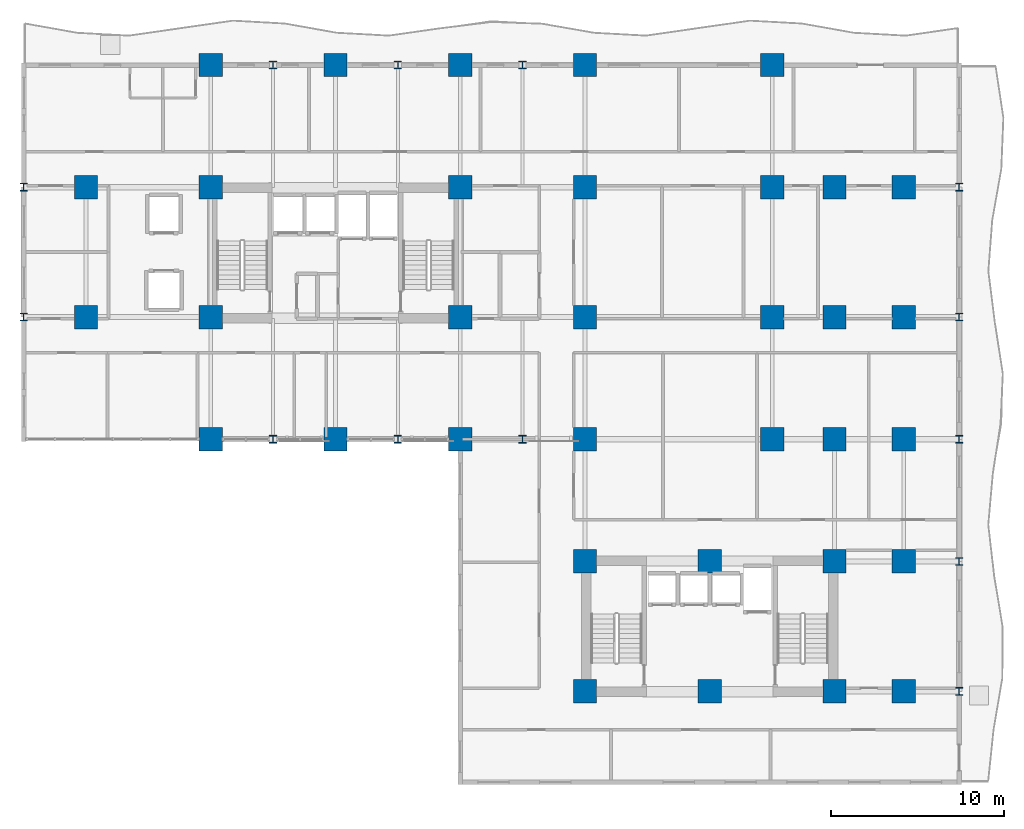
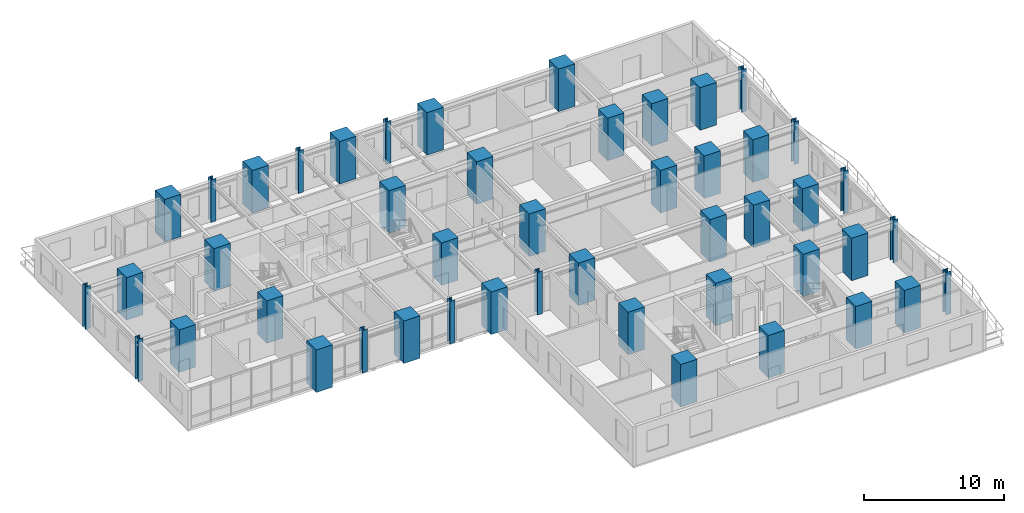
# One storey, part 1 of 17: 47 columns.
"""IFC4 building model written with IfcOpenShell, lengths in metres."""

import ifcopenshell
import ifcopenshell.guid

model = None  # the IFC model being written
_history = None  # IfcOwnerHistory: only IFC2X3 demands one
_inside = {}  # id of a spatial element -> (the spatial element, [elements in it])
_under = {}  # id of a project, library or spatial element -> (it, [spatial elements below it])
_declared = {}  # id of a project -> (the project, [libraries it declares])
_typed = {}  # id of a type object -> (the type object, [elements of that type])
_made_of = {}  # id of a material, layer set ... -> (it, [elements and type objects made of it])


def new_model(schema):
    """Start an empty IFC model of exactly this schema.

    Asked for "IFC4X3", IfcOpenShell would pick the latest addendum, in which some entities
    have other attributes; the version numbers below select the first issue.
    IFC2X3 requires an IfcOwnerHistory on every rooted entity: one is made here for all.
    """
    global model, _history
    if schema == "IFC4X3":
        model = ifcopenshell.file(schema_version=(4, 3, 0, 0))
    else:
        model = ifcopenshell.file(schema=schema)
    _inside.clear()
    _under.clear()
    _declared.clear()
    _typed.clear()
    _made_of.clear()
    _history = None
    if model.schema == "IFC2X3":
        org = make("IfcOrganization", Name="unknown")
        user = make(
            "IfcPersonAndOrganization",
            ThePerson=make("IfcPerson", FamilyName="unknown"),
            TheOrganization=org,
        )
        app = make(
            "IfcApplication",
            ApplicationDeveloper=org,
            Version="unknown",
            ApplicationFullName="unknown",
            ApplicationIdentifier="unknown",
        )
        _history = make(
            "IfcOwnerHistory",
            OwningUser=user,
            OwningApplication=app,
            ChangeAction="ADDED",
            CreationDate=0,
        )
    return model


def make(cls, **values):
    """One entity of the class cls with the attributes given. An attribute that is None is left unset."""
    return model.create_entity(
        cls, **{name: value for name, value in values.items() if value is not None}
    )


def rooted(cls, **values):
    """An entity with a GlobalId (a new one), such as an element, a storey or a relation."""
    return make(cls, GlobalId=ifcopenshell.guid.new(), OwnerHistory=_history, **values)


def si_unit(unit_type, name, prefix=None):
    """IfcSIUnit, for example si_unit("LENGTHUNIT", "METRE", prefix="MILLI")."""
    return make("IfcSIUnit", UnitType=unit_type, Prefix=prefix, Name=name)


def assignment(units):
    """IfcUnitAssignment: the units of a project."""
    return None if units is None else make("IfcUnitAssignment", Units=units)


def point(xyz):
    """IfcCartesianPoint."""
    return None if xyz is None else make("IfcCartesianPoint", Coordinates=xyz)


def direction(xyz):
    """IfcDirection."""
    return None if xyz is None else make("IfcDirection", DirectionRatios=xyz)


def frame(location, z_axis=None, x_axis=None):
    """IfcAxis2Placement3D, a coordinate frame: its origin and axes. An axis left out is left unset."""
    return make(
        "IfcAxis2Placement3D",
        Location=point(location),
        Axis=direction(z_axis),
        RefDirection=direction(x_axis),
    )


def frame_2d(location, x_axis=None):
    """IfcAxis2Placement2D, a coordinate frame in the plane: its origin and x axis."""
    return make(
        "IfcAxis2Placement2D", Location=point(location), RefDirection=direction(x_axis)
    )


def origin():
    """The frame at (0, 0, 0) with its axes left unset."""
    return frame((0.0, 0.0, 0.0))


def origin_2d():
    """The frame at (0, 0) in the plane with its x axis left unset."""
    return frame_2d((0.0, 0.0))


def place(relative_to, where):
    """IfcLocalPlacement: puts the frame where relative to a parent placement (None: the world)."""
    return make(
        "IfcLocalPlacement", PlacementRelTo=relative_to, RelativePlacement=where
    )


def context(
    kind, dimensions, precision=None, world=None, true_north=None, identifier=None
):
    """IfcGeometricRepresentationContext, for example the 3D "Model" context."""
    return make(
        "IfcGeometricRepresentationContext",
        ContextIdentifier=identifier,
        ContextType=kind,
        CoordinateSpaceDimension=dimensions,
        Precision=precision,
        WorldCoordinateSystem=world,
        TrueNorth=true_north,
    )


def subcontext(parent, identifier, kind, view, scale=None):
    """IfcGeometricRepresentationSubContext, for example "Body" below "Model"."""
    return make(
        "IfcGeometricRepresentationSubContext",
        ContextIdentifier=identifier,
        ContextType=kind,
        ParentContext=parent,
        TargetScale=scale,
        TargetView=view,
    )


def project(units=None, contexts=None):
    """IfcProject with its units and contexts."""
    return rooted(
        "IfcProject",
        Name="project",
        RepresentationContexts=contexts,
        UnitsInContext=assignment(units),
    )


def spatial(cls, under=None, at=None, **own):
    """A site, building, storey or space (cls), placed at a placement, below another one or the project."""
    s = rooted(cls, ObjectPlacement=at, **own)
    if under is not None:
        _under.setdefault(under.id(), (under, []))[1].append(s)
    return s


def profile(cls, at=None, kind="AREA", **sizes):
    """A parametric profile (cls). Its sizes go by their IFC names, for example OverallWidth=200.0."""
    return make(cls, ProfileType=kind, Position=at, **sizes)


def rectangle(**sizes):
    """IfcRectangleProfileDef."""
    return profile("IfcRectangleProfileDef", **sizes)


def i_section(**sizes):
    """IfcIShapeProfileDef."""
    return profile("IfcIShapeProfileDef", **sizes)


def extrude(swept, where, along, depth):
    """IfcExtrudedAreaSolid: the profile swept, set in the frame where, extruded along a direction by depth."""
    return make(
        "IfcExtrudedAreaSolid",
        SweptArea=swept,
        Position=where,
        ExtrudedDirection=direction(along),
        Depth=depth,
    )


def shape(context_of_items, identifier, shape_type, items):
    """IfcShapeRepresentation: the items that make up one representation, for example the "Body"."""
    return make(
        "IfcShapeRepresentation",
        ContextOfItems=context_of_items,
        RepresentationIdentifier=identifier,
        RepresentationType=shape_type,
        Items=items,
    )


def source(mapping_origin, context_of_items, identifier, shape_type, items):
    """IfcRepresentationMap: a shape defined once, which mapped items show again and again."""
    return make(
        "IfcRepresentationMap",
        MappingOrigin=mapping_origin,
        MappedRepresentation=shape(context_of_items, identifier, shape_type, items),
    )


def transform(
    local_origin,
    x_axis=None,
    y_axis=None,
    z_axis=None,
    scale=None,
    scale2=None,
    scale3=None,
    uniform=True,
):
    """IfcCartesianTransformationOperator3D, or its non-uniform kind. x_axis, y_axis, z_axis: its Axis1, 2, 3."""
    if uniform:
        return make(
            "IfcCartesianTransformationOperator3D",
            Axis1=direction(x_axis),
            Axis2=direction(y_axis),
            LocalOrigin=point(local_origin),
            Scale=scale,
            Axis3=direction(z_axis),
        )
    return make(
        "IfcCartesianTransformationOperator3DnonUniform",
        Axis1=direction(x_axis),
        Axis2=direction(y_axis),
        LocalOrigin=point(local_origin),
        Scale=scale,
        Axis3=direction(z_axis),
        Scale2=scale2,
        Scale3=scale3,
    )


def mapped(mapping_source, mapping_target):
    """IfcMappedItem: shows the shape of a source again, moved by a transform."""
    return make(
        "IfcMappedItem", MappingSource=mapping_source, MappingTarget=mapping_target
    )


def material(Name=None, Category=None):
    """IfcMaterial."""
    return make("IfcMaterial", Name=Name, Category=Category)


def material_profile(
    of_material, cross_section, Name=None, Category=None, Priority=None
):
    """IfcMaterialProfile: a cross section and its material."""
    return make(
        "IfcMaterialProfile",
        Name=Name,
        Material=of_material,
        Profile=cross_section,
        Priority=Priority,
        Category=Category,
    )


def profile_set(profiles, Name=None, composite=None):
    """IfcMaterialProfileSet."""
    return make(
        "IfcMaterialProfileSet",
        Name=Name,
        MaterialProfiles=profiles,
        CompositeProfile=composite,
    )


def made_of(thing, what):
    """Note that an element or type object is made of a material, layer set ...; save() writes the relation."""
    if what is not None:
        _made_of.setdefault(what.id(), (what, []))[1].append(thing)
    return thing


def type_object(cls, material=None, **own):
    """A type object (cls), such as IfcWallType, which elements share."""
    return made_of(rooted(cls, **own), material)


def element(
    cls,
    number,
    at=None,
    inside=None,
    cuts=None,
    type_object=None,
    material=None,
    context=None,
    identifier="Body",
    shape_type=None,
    held_by="IfcProductDefinitionShape",
    body=None,
    shapes=None,
    **own,
):
    """One element of the class cls, such as IfcWall. Its Tag is "e" and its number.

    at: its placement. inside: the storey or other place that contains it. cuts: it is an
    opening in that element (IfcRelVoidsElement). A single representation is given by context,
    identifier, shape_type and body (its items); several are given by shapes. held_by: the class
    of the entity that holds the representations. save() writes the other relations.
    """
    e = rooted(cls, Tag="e%d" % number, ObjectPlacement=at, **own)
    if body is not None:
        shapes = [shape(context, identifier, shape_type, body)]
    if shapes is not None:
        e.Representation = make(held_by, Representations=shapes)
    if inside is not None:
        _inside.setdefault(inside.id(), (inside, []))[1].append(e)
    if cuts is not None:
        rooted(
            "IfcRelVoidsElement", RelatingBuildingElement=cuts, RelatedOpeningElement=e
        )
    if type_object is not None:
        _typed.setdefault(type_object.id(), (type_object, []))[1].append(e)
    return made_of(e, material)


def aggregate(whole, parts):
    """IfcRelAggregates: a whole, such as a stair, and the parts it consists of."""
    return rooted("IfcRelAggregates", RelatingObject=whole, RelatedObjects=parts)


def save(model, path):
    """Write the relations noted so far, then the file.

    IfcRelAggregates (storeys below a building ...), IfcRelContainedInSpatialStructure (elements
    in a storey), IfcRelDefinesByType, IfcRelAssociatesMaterial and IfcRelDeclares: one each for
    every whole, place, type object, material and project.
    """
    for whole, parts in _under.values():
        aggregate(whole, parts)
    for where, things in _inside.values():
        rooted(
            "IfcRelContainedInSpatialStructure",
            RelatedElements=things,
            RelatingStructure=where,
        )
    for kind, things in _typed.values():
        rooted("IfcRelDefinesByType", RelatedObjects=things, RelatingType=kind)
    for what, things in _made_of.values():
        rooted("IfcRelAssociatesMaterial", RelatedObjects=things, RelatingMaterial=what)
    for by, libraries in _declared.values():
        rooted("IfcRelDeclares", RelatingContext=by, RelatedDefinitions=libraries)
    model.write(path)


model = new_model("IFC4")

# Units and contexts
model_context = context("Model", 3, precision=1e-05, world=origin(), true_north=direction((0.0, 1.0)))
body_context = subcontext(model_context, "Body", "Model", "MODEL_VIEW")
ifc_project = project(units=[si_unit("LENGTHUNIT", "METRE"), si_unit("AREAUNIT", "SQUARE_METRE"), si_unit("VOLUMEUNIT", "CUBIC_METRE"), si_unit("PLANEANGLEUNIT", "RADIAN"), si_unit("MASSUNIT", "GRAM", prefix="KILO")], contexts=[model_context])

# Site, building, storey
site_placement = place(None, origin())
site = spatial("IfcSite", under=ifc_project, at=site_placement, CompositionType="ELEMENT")
building_placement = place(site_placement, origin())
building = spatial("IfcBuilding", under=site, at=building_placement, Name="Kaliganga Portal Commons", CompositionType="ELEMENT")
storey_placement = place(building_placement, frame((0.0, 0.0, 43.800048828125)))
storey = spatial("IfcBuildingStorey", under=building, at=storey_placement, Name="L10", CompositionType="ELEMENT", Elevation=43.800048828125)

# Columns
ifc_material_1 = material(Name="Concrete C70/85", Category="concrete")
ifc_material_profile_1 = material_profile(ifc_material_1, rectangle(XDim=1.35009765625, YDim=1.35009765625, at=origin_2d()), Name="RC 1350x1350")
ifc_profile_set_1 = profile_set([ifc_material_profile_1], Name="Concrete C70/85")
column_type_1 = type_object("IfcColumnType", Name="COL-MEGA-Z1", PredefinedType="COLUMN", material=ifc_profile_set_1)
shared_shape_1 = source(origin(), body_context, "Body", "SweptSolid", [
    extrude(rectangle(XDim=1.35009765625, YDim=1.35009765625, at=origin_2d()), origin(), (0.0, 0.0, 1.0), 3.699951171875),
])
for number, where, z_axis, x_axis, name in (
    (1, (7.199951171875, 28.64990234375, 0.0), (0.0, 0.0, 1.0), (1.0, 0.0, 0.0), "Column MC-02 L10"),
    (2, (7.199951171875, 36.14990234375, 0.0), (0.0, 0.0, 1.0), (1.0, 0.0, 0.0), "Column MC-02 L10"),
    (3, (14.39990234375, 21.60009765625, 0.0), (0.0, 0.0, 1.0), (1.0, 0.0, 0.0), "Column MC-02 L10"),
    (4, (14.39990234375, 28.64990234375, 0.0), (0.0, 0.0, 1.0), (1.0, 0.0, 0.0), "Column MC-02 L10"),
    (5, (14.39990234375, 36.14990234375, 0.0), (0.0, 0.0, 1.0), (1.0, 0.0, 0.0), "Column MC-02 L10"),
    (6, (14.39990234375, 43.199951171875, 0.0), (0.0, 0.0, 1.0), (1.0, 0.0, 0.0), "Column MC-02 L10"),
    (7, (21.60009765625, 21.60009765625, 0.0), (0.0, 0.0, 1.0), (1.0, 0.0, 0.0), "Column MC-02 L10"),
    (8, (21.60009765625, 43.199951171875, 0.0), (0.0, 0.0, 1.0), (1.0, 0.0, 0.0), "Column MC-02 L10"),
    (9, (28.800048828125, 21.60009765625, 0.0), (0.0, 0.0, 1.0), (1.0, 0.0, 0.0), "Column MC-02 L10"),
    (10, (28.800048828125, 28.64990234375, 0.0), (0.0, 0.0, 1.0), (1.0, 0.0, 0.0), "Column MC-02 L10"),
    (11, (28.800048828125, 36.14990234375, 0.0), (0.0, 0.0, 1.0), (1.0, 0.0, 0.0), "Column MC-02 L10"),
    (12, (28.800048828125, 43.199951171875, 0.0), (0.0, 0.0, 1.0), (1.0, 0.0, 0.0), "Column MC-02 L10"),
    (13, (36.0, 21.60009765625, 0.0), (0.0, 0.0, 1.0), (1.0, 0.0, 0.0), "Column MC-02 L10"),
    (14, (36.0, 43.199951171875, 0.0), (0.0, 0.0, 1.0), (1.0, 0.0, 0.0), "Column MC-02 L10"),
    (15, (36.0, 28.64990234375, 0.0), (0.0, 0.0, 1.0), (1.0, 0.0, 0.0), "Column MC-02 L10"),
    (16, (36.0, 36.14990234375, 0.0), (0.0, 0.0, 1.0), (1.0, 0.0, 0.0), "Column MC-02 L10"),
    (17, (46.800048828125, 21.60009765625, 0.0), (0.0, 0.0, 1.0), (1.0, 0.0, 0.0), "Column MC-02 L10"),
    (18, (46.800048828125, 28.64990234375, 0.0), (0.0, 0.0, 1.0), (1.0, 0.0, 0.0), "Column MC-02 L10"),
    (19, (46.800048828125, 36.14990234375, 0.0), (0.0, 0.0, 1.0), (1.0, 0.0, 0.0), "Column MC-02 L10"),
    (20, (46.800048828125, 43.199951171875, 0.0), (0.0, 0.0, 1.0), (1.0, 0.0, 0.0), "Column MC-02 L10"),
    (21, (36.0, 7.050048828125, 0.0), (0.0, 0.0, 1.0), (1.0, 0.0, 0.0), "Column MC-02 L10"),
    (22, (36.0, 14.550048828125, 0.0), (0.0, 0.0, 1.0), (1.0, 0.0, 0.0), "Column MC-02 L10"),
    (23, (43.199951171875, 7.050048828125, 0.0), (0.0, 0.0, 1.0), (1.0, 0.0, 0.0), "Column MC-02 L10"),
    (24, (43.199951171875, 14.550048828125, 0.0), (0.0, 0.0, 1.0), (1.0, 0.0, 0.0), "Column MC-02 L10"),
    (25, (50.39990234375, 7.050048828125, 0.0), (0.0, 0.0, 1.0), (1.0, 0.0, 0.0), "Column MC-02 L10"),
    (26, (50.39990234375, 14.550048828125, 0.0), (0.0, 0.0, 1.0), (1.0, 0.0, 0.0), "Column MC-02 L10"),
    (27, (50.39990234375, 21.60009765625, 0.0), (0.0, 0.0, 1.0), (1.0, 0.0, 0.0), "Column MC-02 L10"),
    (28, (50.39990234375, 28.64990234375, 0.0), (0.0, 0.0, 1.0), (1.0, 0.0, 0.0), "Column MC-02 L10"),
    (29, (50.39990234375, 36.14990234375, 0.0), (0.0, 0.0, 1.0), (1.0, 0.0, 0.0), "Column MC-02 L10"),
    (30, (54.39990234375, 7.050048828125, 0.0), (0.0, 0.0, 1.0), (1.0, 0.0, 0.0), "Column MC-02 L10"),
    (31, (54.39990234375, 14.550048828125, 0.0), (0.0, 0.0, 1.0), (1.0, 0.0, 0.0), "Column MC-02 L10"),
    (32, (54.39990234375, 21.60009765625, 0.0), (0.0, 0.0, 1.0), (1.0, 0.0, 0.0), "Column MC-02 L10"),
    (33, (54.39990234375, 28.64990234375, 0.0), (0.0, 0.0, 1.0), (1.0, 0.0, 0.0), "Column MC-02 L10"),
    (34, (54.39990234375, 36.14990234375, 0.0), (0.0, 0.0, 1.0), (1.0, 0.0, 0.0), "Column MC-02 L10"),
):
    element("IfcColumn", number, at=place(storey_placement, frame(where, z_axis=z_axis, x_axis=x_axis)), inside=storey, type_object=column_type_1, Name=name, PredefinedType="COLUMN", context=body_context, shape_type="MappedRepresentation", body=[
        mapped(shared_shape_1, transform((0.0, 0.0, 0.0), x_axis=(1.0, 0.0, 0.0), y_axis=(0.0, 1.0, 0.0), z_axis=(0.0, 0.0, 1.0), scale=1.0)),
    ])
ifc_material_2 = material(Name="Structural steel S460M", Category="steel")
ifc_material_profile_2 = material_profile(ifc_material_2, i_section(OverallWidth=0.416015625, OverallDepth=0.446044921875, WebThickness=0.029052734375, FlangeThickness=0.0400390625, FilletRadius=0.014892578125, at=origin_2d()), Name="HD 400x509")
ifc_profile_set_2 = profile_set([ifc_material_profile_2], Name="Structural steel S460M wide-flange")
column_type_2 = type_object("IfcColumnType", Name="COL-TUBE-B1", PredefinedType="COLUMN", material=ifc_profile_set_2)
shared_shape_2 = source(origin(), body_context, "Body", "SweptSolid", [
    extrude(i_section(OverallWidth=0.416015625, OverallDepth=0.446044921875, WebThickness=0.029052734375, FlangeThickness=0.0400390625, FilletRadius=0.014892578125, at=origin_2d()), origin(), (0.0, 0.0, 1.0), 3.699951171875),
])
for number, where, z_axis, x_axis, name in (
    (35, (3.60009765625, 28.64990234375, 0.0), (0.0, 0.0, 1.0), (1.0, 0.0, 0.0), "Column TC-01 L10"),
    (36, (3.60009765625, 36.14990234375, 0.0), (0.0, 0.0, 1.0), (1.0, 0.0, 0.0), "Column TC-01 L10"),
    (37, (18.0, 21.60009765625, 0.0), (0.0, 0.0, 1.0), (1.0, 0.0, 0.0), "Column TC-01 L10"),
    (38, (18.0, 43.199951171875, 0.0), (0.0, 0.0, 1.0), (1.0, 0.0, 0.0), "Column TC-01 L10"),
    (39, (25.199951171875, 21.60009765625, 0.0), (0.0, 0.0, 1.0), (1.0, 0.0, 0.0), "Column TC-01 L10"),
    (40, (25.199951171875, 43.199951171875, 0.0), (0.0, 0.0, 1.0), (1.0, 0.0, 0.0), "Column TC-01 L10"),
    (41, (32.39990234375, 21.60009765625, 0.0), (0.0, 0.0, 1.0), (1.0, 0.0, 0.0), "Column TC-01 L10"),
    (42, (32.39990234375, 43.199951171875, 0.0), (0.0, 0.0, 1.0), (1.0, 0.0, 0.0), "Column TC-01 L10"),
    (43, (57.60009765625, 7.050048828125, 0.0), (0.0, 0.0, 1.0), (1.0, 0.0, 0.0), "Column TC-01 L10"),
    (44, (57.60009765625, 14.550048828125, 0.0), (0.0, 0.0, 1.0), (1.0, 0.0, 0.0), "Column TC-01 L10"),
    (45, (57.60009765625, 21.60009765625, 0.0), (0.0, 0.0, 1.0), (1.0, 0.0, 0.0), "Column TC-01 L10"),
    (46, (57.60009765625, 28.64990234375, 0.0), (0.0, 0.0, 1.0), (1.0, 0.0, 0.0), "Column TC-01 L10"),
    (47, (57.60009765625, 36.14990234375, 0.0), (0.0, 0.0, 1.0), (1.0, 0.0, 0.0), "Column TC-01 L10"),
):
    element("IfcColumn", number, at=place(storey_placement, frame(where, z_axis=z_axis, x_axis=x_axis)), inside=storey, type_object=column_type_2, Name=name, PredefinedType="COLUMN", context=body_context, shape_type="MappedRepresentation", body=[
        mapped(shared_shape_2, transform((0.0, 0.0, 0.0), x_axis=(1.0, 0.0, 0.0), y_axis=(0.0, 1.0, 0.0), z_axis=(0.0, 0.0, 1.0), scale=1.0)),
    ])

save(model, "model.ifc")
